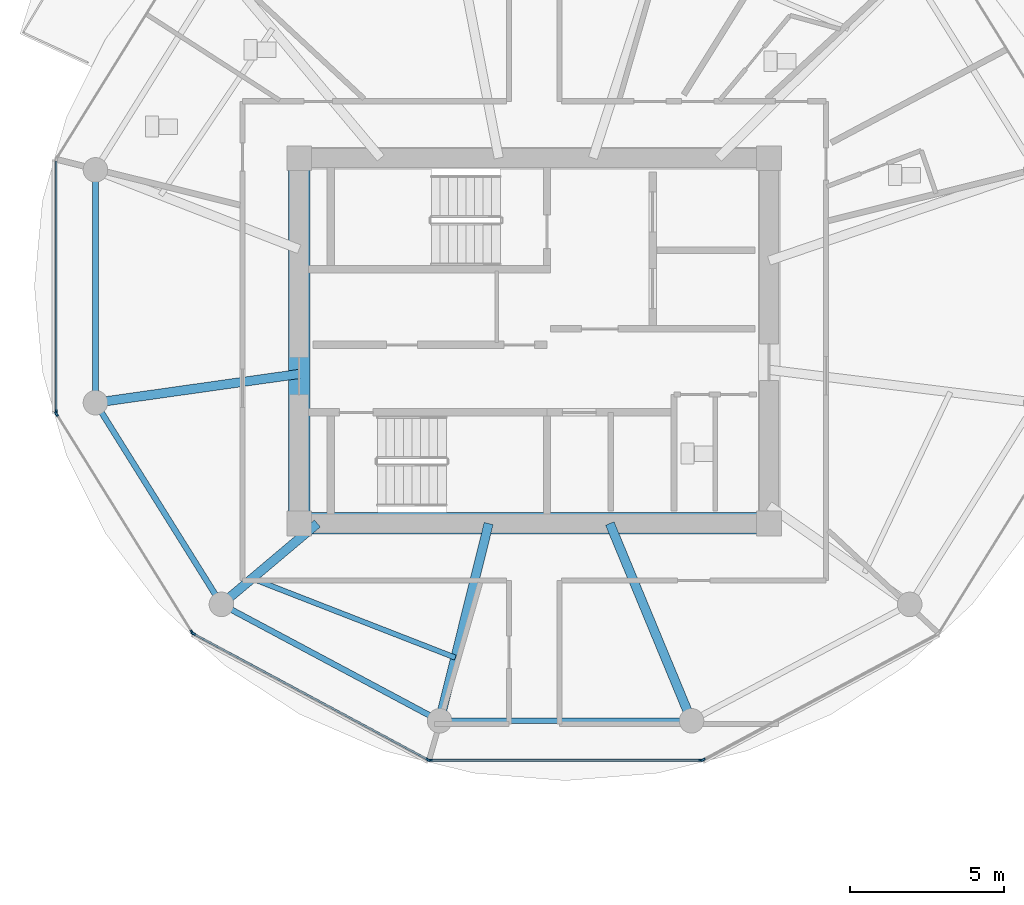
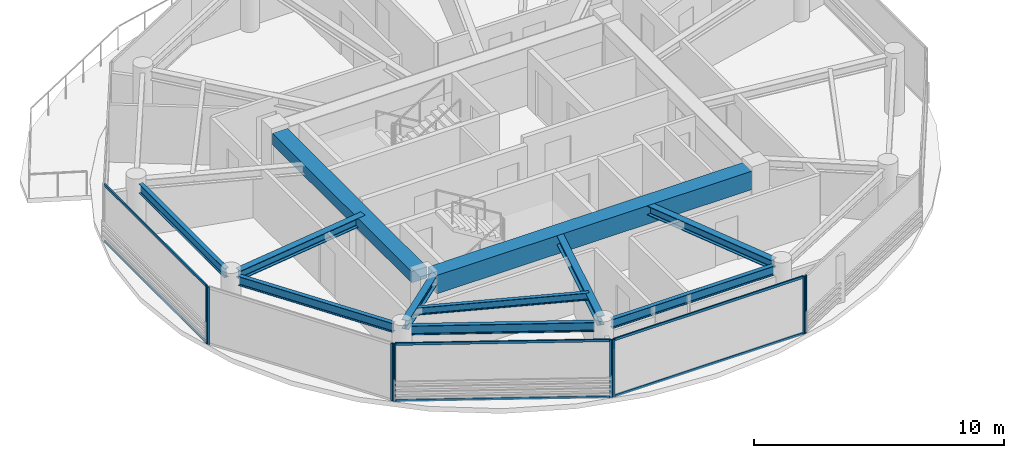
# One storey, part 2 of 21: 14 members, 11 beams, 5 elements without a shape of their own.
"""IFC4 building model written with IfcOpenShell, lengths in metres."""

from ifc_helpers import new_model, si_unit, direction, frame, origin, origin_2d, place, context, subcontext, project, spatial, rectangle, i_section, extrude, source, transform, mapped, material, layer, layer_set, material_profile, profile_set, type_object, type_shapes, element, aggregate, save


model = new_model("IFC4")

# Units and contexts
model_context = context("Model", 3, precision=1e-05, world=origin(), true_north=direction((0.0, 1.0)))
body_context = subcontext(model_context, "Body", "Model", "MODEL_VIEW")
ifc_project = project(units=[si_unit("LENGTHUNIT", "METRE"), si_unit("AREAUNIT", "SQUARE_METRE"), si_unit("VOLUMEUNIT", "CUBIC_METRE"), si_unit("PLANEANGLEUNIT", "RADIAN"), si_unit("MASSUNIT", "GRAM", prefix="KILO")], contexts=[model_context])

# Site, building, storey
site_placement = place(None, origin())
site = spatial("IfcSite", under=ifc_project, at=site_placement, CompositionType="ELEMENT")
building_placement = place(site_placement, origin())
building = spatial("IfcBuilding", under=site, at=building_placement, Name="Norrkilde Senior Care Towers", CompositionType="ELEMENT")
storey_placement = place(building_placement, frame((0.0, 0.0, 146.5)))
storey = spatial("IfcBuildingStorey", under=building, at=storey_placement, Name="L45", CompositionType="ELEMENT", Elevation=146.5)

# Beams
ifc_material_1 = material(Name="Concrete C60/75", Category="concrete")
ifc_material_profile_1 = material_profile(ifc_material_1, rectangle(XDim=0.699951171875, YDim=0.89990234375, at=origin_2d()), Name="RC BM 700x900")
ifc_profile_set_1 = profile_set([ifc_material_profile_1], Name="Concrete C60/75")
beam_type_1 = type_object("IfcBeamType", Name="Core Coupling Girder 700x900", PredefinedType="USERDEFINED", material=ifc_profile_set_1)
shared_shape_1 = source(origin(), body_context, "Body", "SweptSolid", [
    extrude(rectangle(XDim=0.699951171875, YDim=0.89990234375, at=origin_2d()), origin(), (0.0, 0.0, 1.0), 14.5400390625),
])
type_shapes(beam_type_1, [shared_shape_1])
beam_1_placement = place(storey_placement, frame((-35.27001953125, -5.949951171875, 2.360107421875), z_axis=(1.0, 0.0, 0.0), x_axis=(0.0, 1.0, 0.0)))
element("IfcBeam", 1, at=beam_1_placement, inside=storey, type_object=beam_type_1, Name="L45 Core W S Coupling Girder", ObjectType="GIRDER", PredefinedType="USERDEFINED", context=body_context, shape_type="MappedRepresentation", body=[
    mapped(shared_shape_1, transform((0.0, 0.0, 0.0), x_axis=(1.0, 0.0, 0.0), y_axis=(0.0, 1.0, 0.0), z_axis=(0.0, 0.0, 1.0), scale=1.0)),
])
ifc_material_profile_2 = material_profile(ifc_material_1, rectangle(XDim=0.699951171875, YDim=0.550048828125, at=origin_2d()), Name="RC BM 700x550")
ifc_profile_set_2 = profile_set([ifc_material_profile_2], Name="Concrete C60/75")
beam_type_2 = type_object("IfcBeamType", Name="Core Portal Coupling Beam 700x550", PredefinedType="USERDEFINED", material=ifc_profile_set_2)
shared_shape_2 = source(origin(), body_context, "Body", "SweptSolid", [
    extrude(rectangle(XDim=0.699951171875, YDim=0.550048828125, at=origin_2d()), origin(), (0.0, 0.0, 1.0), 11.14013671875),
])
type_shapes(beam_type_2, [shared_shape_2])
beam_2_placement = place(storey_placement, frame((-35.64990234375, -5.570068359375, 2.534912109375), z_axis=(0.0, 1.0, 0.0), x_axis=(-1.0, 0.0, 0.0)))
element("IfcBeam", 2, at=beam_2_placement, inside=storey, type_object=beam_type_2, Name="L45 Core W W Coupling Girder", ObjectType="GIRDER", PredefinedType="USERDEFINED", context=body_context, shape_type="MappedRepresentation", body=[
    mapped(shared_shape_2, transform((0.0, 0.0, 0.0), x_axis=(1.0, 0.0, 0.0), y_axis=(0.0, 1.0, 0.0), z_axis=(0.0, 0.0, 1.0), scale=1.0)),
])
ifc_material_2 = material(Name="Steel S355", Category="steel")
ifc_material_profile_3 = material_profile(ifc_material_2, i_section(OverallWidth=0.18994140625, OverallDepth=0.449951171875, WebThickness=0.009521484375, FlangeThickness=0.0146484375, FilletRadius=0.02099609375, at=origin_2d()), Name="IPE 450")
ifc_profile_set_3 = profile_set([ifc_material_profile_3], Name="Steel S355")
beam_type_3 = type_object("IfcBeamType", Name="Perimeter Ring Spandrel Z3 IPE450", PredefinedType="SPANDREL", material=ifc_profile_set_3)
shared_shape_3 = source(origin(), body_context, "Body", "SweptSolid", [
    extrude(i_section(OverallWidth=0.18994140625, OverallDepth=0.449951171875, WebThickness=0.009521484375, FlangeThickness=0.0146484375, FilletRadius=0.02099609375, at=origin_2d()), origin(), (0.0, 0.0, 1.0), 7.484619140625),
])
beam_3_placement = place(storey_placement, frame((-30.71728515625, -12.37548828125, 2.5849609375), z_axis=(1.0, 0.0, 0.0), x_axis=(0.0, 1.0, 0.0)))
element("IfcBeam", 3, at=beam_3_placement, inside=storey, type_object=beam_type_3, Name="L45 Drum W Perimeter Spandrel 09", PredefinedType="SPANDREL", context=body_context, shape_type="MappedRepresentation", body=[
    mapped(shared_shape_3, transform((0.0, 0.0, 0.0), x_axis=(1.0, 0.0, 0.0), y_axis=(0.0, 1.0, 0.0), z_axis=(0.0, 0.0, 1.0), scale=1.0)),
])
shared_shape_4 = source(origin(), body_context, "Body", "SweptSolid", [
    extrude(i_section(OverallWidth=0.18994140625, OverallDepth=0.449951171875, WebThickness=0.009521484375, FlangeThickness=0.0146484375, FilletRadius=0.02099609375, at=origin_2d()), origin(), (0.0, 0.0, 1.0), 6.86328125),
])
beam_4_placement = place(storey_placement, frame((-42.284912109375, 5.20703125, 2.5849609375), z_axis=(0.0, -1.0, 0.0), x_axis=(1.0, 0.0, 0.0)))
element("IfcBeam", 4, at=beam_4_placement, inside=storey, type_object=beam_type_3, Name="L45 Drum W Perimeter Spandrel 06", PredefinedType="SPANDREL", context=body_context, shape_type="MappedRepresentation", body=[
    mapped(shared_shape_4, transform((0.0, 0.0, 0.0), x_axis=(1.0, 0.0, 0.0), y_axis=(0.0, 1.0, 0.0), z_axis=(0.0, 0.0, 1.0), scale=1.0)),
])
shared_shape_5 = source(origin(), body_context, "Body", "SweptSolid", [
    extrude(i_section(OverallWidth=0.18994140625, OverallDepth=0.449951171875, WebThickness=0.009521484375, FlangeThickness=0.0146484375, FilletRadius=0.02099609375, at=origin_2d()), origin(), (0.0, 0.0, 1.0), 7.023193359375),
])
beam_5_placement = place(storey_placement, frame((-42.09423828125, -2.32177734375, 2.5849609375), z_axis=(0.529805197269, -0.848119362441, 0.0), x_axis=(0.848119362441, 0.529805197269, 0.0)))
element("IfcBeam", 5, at=beam_5_placement, inside=storey, type_object=beam_type_3, Name="L45 Drum W Perimeter Spandrel 07", PredefinedType="SPANDREL", context=body_context, shape_type="MappedRepresentation", body=[
    mapped(shared_shape_5, transform((0.0, 0.0, 0.0), x_axis=(1.0, 0.0, 0.0), y_axis=(0.0, 1.0, 0.0), z_axis=(0.0, 0.0, 1.0), scale=1.0)),
])
ifc_material_profile_4 = material_profile(ifc_material_2, i_section(OverallWidth=0.300048828125, OverallDepth=0.449951171875, WebThickness=0.013916015625, FlangeThickness=0.02587890625, FilletRadius=0.027099609375, at=origin_2d()), Name="HEB 450")
ifc_profile_set_4 = profile_set([ifc_material_profile_4], Name="Steel S355")
beam_type_4 = type_object("IfcBeamType", Name="Radial Floor Beam Z3 HEB450", PredefinedType="BEAM", material=ifc_profile_set_4)
shared_shape_6 = source(origin(), body_context, "Body", "SweptSolid", [
    extrude(i_section(OverallWidth=0.300048828125, OverallDepth=0.449951171875, WebThickness=0.013916015625, FlangeThickness=0.02587890625, FilletRadius=0.027099609375, at=origin_2d()), origin(), (0.0, 0.0, 1.0), 6.3408203125),
])
beam_6_placement = place(storey_placement, frame((-35.64990234375, -1.079833984375, 2.5849609375), z_axis=(-0.990184519576, -0.139766294905, 0.0), x_axis=(0.139766294905, -0.990184519576, 0.0)))
element("IfcBeam", 6, at=beam_6_placement, inside=storey, type_object=beam_type_4, Name="L45 Drum W Radial Floor Beam 07", PredefinedType="BEAM", context=body_context, shape_type="MappedRepresentation", body=[
    mapped(shared_shape_6, transform((0.0, 0.0, 0.0), x_axis=(1.0, 0.0, 0.0), y_axis=(0.0, 1.0, 0.0), z_axis=(0.0, 0.0, 1.0), scale=1.0)),
])
shared_shape_7 = source(origin(), body_context, "Body", "SweptSolid", [
    extrude(i_section(OverallWidth=0.18994140625, OverallDepth=0.449951171875, WebThickness=0.009521484375, FlangeThickness=0.0146484375, FilletRadius=0.02099609375, at=origin_2d()), origin(), (0.0, 0.0, 1.0), 7.333984375),
])
type_shapes(beam_type_3, [shared_shape_3, shared_shape_4, shared_shape_5, shared_shape_7])
beam_7_placement = place(storey_placement, frame((-37.864990234375, -8.753173828125, 2.5849609375), z_axis=(0.882234038987, -0.470811109101, 0.0), x_axis=(0.470811109101, 0.882234038987, 0.0)))
element("IfcBeam", 7, at=beam_7_placement, inside=storey, type_object=beam_type_3, Name="L45 Drum W Perimeter Spandrel 08", PredefinedType="SPANDREL", context=body_context, shape_type="MappedRepresentation", body=[
    mapped(shared_shape_7, transform((0.0, 0.0, 0.0), x_axis=(1.0, 0.0, 0.0), y_axis=(0.0, 1.0, 0.0), z_axis=(0.0, 0.0, 1.0), scale=1.0)),
])
shared_shape_8 = source(origin(), body_context, "Body", "SweptSolid", [
    extrude(i_section(OverallWidth=0.300048828125, OverallDepth=0.449951171875, WebThickness=0.013916015625, FlangeThickness=0.02587890625, FilletRadius=0.027099609375, at=origin_2d()), origin(), (0.0, 0.0, 1.0), 3.7265625),
])
beam_8_placement = place(storey_placement, frame((-35.058349609375, -5.949951171875, 2.5849609375), z_axis=(-0.764567902106, -0.644543189453, 0.0), x_axis=(0.644543189453, -0.764567902106, 0.0)))
element("IfcBeam", 8, at=beam_8_placement, inside=storey, type_object=beam_type_4, Name="L45 Drum W Radial Floor Beam 08", PredefinedType="BEAM", context=body_context, shape_type="MappedRepresentation", body=[
    mapped(shared_shape_8, transform((0.0, 0.0, 0.0), x_axis=(1.0, 0.0, 0.0), y_axis=(0.0, 1.0, 0.0), z_axis=(0.0, 0.0, 1.0), scale=1.0)),
])
shared_shape_9 = source(origin(), body_context, "Body", "SweptSolid", [
    extrude(i_section(OverallWidth=0.300048828125, OverallDepth=0.449951171875, WebThickness=0.013916015625, FlangeThickness=0.02587890625, FilletRadius=0.027099609375, at=origin_2d()), origin(), (0.0, 0.0, 1.0), 6.26123046875),
])
beam_9_placement = place(storey_placement, frame((-29.4794921875, -5.949951171875, 2.5849609375), z_axis=(-0.241324375921, -0.970444509277, 0.0), x_axis=(0.970444509277, -0.241324375921, 0.0)))
element("IfcBeam", 9, at=beam_9_placement, inside=storey, type_object=beam_type_4, Name="L45 Drum W Radial Floor Beam 09", PredefinedType="BEAM", context=body_context, shape_type="MappedRepresentation", body=[
    mapped(shared_shape_9, transform((0.0, 0.0, 0.0), x_axis=(1.0, 0.0, 0.0), y_axis=(0.0, 1.0, 0.0), z_axis=(0.0, 0.0, 1.0), scale=1.0)),
])
shared_shape_10 = source(origin(), body_context, "Body", "SweptSolid", [
    extrude(i_section(OverallWidth=0.300048828125, OverallDepth=0.449951171875, WebThickness=0.013916015625, FlangeThickness=0.02587890625, FilletRadius=0.027099609375, at=origin_2d()), origin(), (0.0, 0.0, 1.0), 6.59521484375),
])
type_shapes(beam_type_4, [shared_shape_6, shared_shape_8, shared_shape_9, shared_shape_10])
beam_10_placement = place(storey_placement, frame((-25.534912109375, -5.949951171875, 2.5849609375), z_axis=(0.382761541363, -0.923847174836, 0.0), x_axis=(0.923847174836, 0.382761541363, 0.0)))
element("IfcBeam", 10, at=beam_10_placement, inside=storey, type_object=beam_type_4, Name="L45 Drum W Radial Floor Beam 10", PredefinedType="BEAM", context=body_context, shape_type="MappedRepresentation", body=[
    mapped(shared_shape_10, transform((0.0, 0.0, 0.0), x_axis=(1.0, 0.0, 0.0), y_axis=(0.0, 1.0, 0.0), z_axis=(0.0, 0.0, 1.0), scale=1.0)),
])
ifc_material_profile_5 = material_profile(ifc_material_2, i_section(OverallWidth=0.169921875, OverallDepth=0.360107421875, WebThickness=0.008056640625, FlangeThickness=0.0126953125, FilletRadius=0.01806640625, at=origin_2d()), Name="IPE 360")
ifc_profile_set_5 = profile_set([ifc_material_profile_5], Name="Steel S355")
beam_type_5 = type_object("IfcBeamType", Name="Secondary Floor Joist IPE360", PredefinedType="JOIST", material=ifc_profile_set_5)
shared_shape_11 = source(origin(), body_context, "Body", "SweptSolid", [
    extrude(i_section(OverallWidth=0.169921875, OverallDepth=0.360107421875, WebThickness=0.008056640625, FlangeThickness=0.0126953125, FilletRadius=0.01806640625, at=origin_2d()), origin(), (0.0, 0.0, 1.0), 7.1015625),
])
type_shapes(beam_type_5, [shared_shape_11])
beam_11_placement = place(storey_placement, frame((-37.182861328125, -7.740966796875, 2.6298828125), z_axis=(0.931761231292, -0.363071629106, 0.0), x_axis=(0.363071629106, 0.931761231292, 0.0)))
element("IfcBeam", 11, at=beam_11_placement, inside=storey, type_object=beam_type_5, Name="L45 Drum W Secondary Floor Joist 3", PredefinedType="JOIST", context=body_context, shape_type="MappedRepresentation", body=[
    mapped(shared_shape_11, transform((0.0, 0.0, 0.0), x_axis=(1.0, 0.0, 0.0), y_axis=(0.0, 1.0, 0.0), z_axis=(0.0, 0.0, 1.0), scale=1.0)),
])

# Curtain wall, member
ifc_material_3 = material(Name="Triple Low-E Insulated Glazing", Category="glass")
ifc_layer = layer(ifc_material_3, 0.18994140625)
ifc_layer_set = layer_set([ifc_layer], Name="Triple Low-E Insulated Glazing")
curtain_wall_type = type_object("IfcCurtainWallType", Name="CW4 Zone 3 Senior Residence Curtain Wall", PredefinedType="NOTDEFINED", material=ifc_layer_set)
curtain_wall_1_placement = place(storey_placement, origin())
curtain_wall_1 = element("IfcCurtainWall", 12, at=curtain_wall_1_placement, inside=storey, type_object=curtain_wall_type, Name="L45 Drum W Curtain Wall 05", PredefinedType="NOTDEFINED")
ifc_material_4 = material(Name="Anodised Aluminium", Category="aluminium")
ifc_material_profile_6 = material_profile(ifc_material_4, rectangle(XDim=0.06494140625, YDim=0.14990234375, at=origin_2d()), Name="ALU MULL 65x150")
ifc_profile_set_6 = profile_set([ifc_material_profile_6], Name="Anodised Aluminium")
member_type_1 = type_object("IfcMemberType", Name="Curtain Wall Mullion Z3-Z4 65x150", PredefinedType="MULLION", material=ifc_profile_set_6)
shared_shape_12 = source(origin(), body_context, "Body", "SweptSolid", [
    extrude(rectangle(XDim=0.06494140625, YDim=0.14990234375, at=origin_2d()), origin(), (0.0, 0.0, 1.0), 2.81005859375),
])
type_shapes(member_type_1, [shared_shape_12])
member_1_placement = place(storey_placement, frame((-43.569580078125, -2.328125, 0.0), z_axis=(0.0, 0.0, 1.0), x_axis=(-1.0, 0.0, 0.0)))
member_1 = element("IfcMember", 13, at=member_1_placement, type_object=member_type_1, Name="CW-4 mullion 1", PredefinedType="MULLION", context=body_context, shape_type="MappedRepresentation", body=[
    mapped(shared_shape_12, transform((0.0, 0.0, 0.0), x_axis=(1.0, 0.0, 0.0), y_axis=(0.0, 1.0, 0.0), z_axis=(0.0, 0.0, 1.0), scale=1.0)),
])

# Curtain wall, members
curtain_wall_2_placement = place(storey_placement, origin())
curtain_wall_2 = element("IfcCurtainWall", 14, at=curtain_wall_2_placement, inside=storey, type_object=curtain_wall_type, Name="L45 Drum W Curtain Wall 06", PredefinedType="NOTDEFINED")
member_2_placement = place(storey_placement, frame((-39.14013671875, -9.49658203125, 0.0), z_axis=(0.0, 0.0, 1.0), x_axis=(-0.84963405474, -0.52737270789, 0.0)))
member_2 = element("IfcMember", 15, at=member_2_placement, type_object=member_type_1, Name="CW-4 mullion 1", PredefinedType="MULLION", context=body_context, shape_type="MappedRepresentation", body=[
    mapped(shared_shape_12, transform((0.0, 0.0, 0.0), x_axis=(1.0, 0.0, 0.0), y_axis=(0.0, 1.0, 0.0), z_axis=(0.0, 0.0, 1.0), scale=1.0)),
])
member_3_placement = place(storey_placement, frame((-43.552490234375, -2.38818359375, 0.0), z_axis=(0.0, 0.0, 1.0), x_axis=(-0.84963405474, -0.52737270789, 0.0)))
member_3 = element("IfcMember", 16, at=member_3_placement, type_object=member_type_1, Name="CW-4 mullion 2", PredefinedType="MULLION", context=body_context, shape_type="MappedRepresentation", body=[
    mapped(shared_shape_12, transform((0.0, 0.0, 0.0), x_axis=(1.0, 0.0, 0.0), y_axis=(0.0, 1.0, 0.0), z_axis=(0.0, 0.0, 1.0), scale=1.0)),
])
aggregate(curtain_wall_2, [member_2, member_3])

curtain_wall_3_placement = place(storey_placement, origin())
curtain_wall_3 = element("IfcCurtainWall", 17, at=curtain_wall_3_placement, inside=storey, type_object=curtain_wall_type, Name="L45 Drum W Curtain Wall 07", PredefinedType="NOTDEFINED")
member_4_placement = place(storey_placement, frame((-31.4501953125, -13.644775390625, 0.0), z_axis=(0.0, 0.0, 1.0), x_axis=(-0.47311715104, -0.880999524059, 0.0)))
member_4 = element("IfcMember", 18, at=member_4_placement, type_object=member_type_1, Name="CW-4 mullion 1", PredefinedType="MULLION", context=body_context, shape_type="MappedRepresentation", body=[
    mapped(shared_shape_12, transform((0.0, 0.0, 0.0), x_axis=(1.0, 0.0, 0.0), y_axis=(0.0, 1.0, 0.0), z_axis=(0.0, 0.0, 1.0), scale=1.0)),
])
member_5_placement = place(storey_placement, frame((-39.094482421875, -9.53955078125, 0.0), z_axis=(0.0, 0.0, 1.0), x_axis=(-0.47311715104, -0.880999524059, 0.0)))
member_5 = element("IfcMember", 19, at=member_5_placement, type_object=member_type_1, Name="CW-4 mullion 2", PredefinedType="MULLION", context=body_context, shape_type="MappedRepresentation", body=[
    mapped(shared_shape_12, transform((0.0, 0.0, 0.0), x_axis=(1.0, 0.0, 0.0), y_axis=(0.0, 1.0, 0.0), z_axis=(0.0, 0.0, 1.0), scale=1.0)),
])

curtain_wall_4_placement = place(storey_placement, origin())
curtain_wall_4 = element("IfcCurtainWall", 20, at=curtain_wall_4_placement, inside=storey, type_object=curtain_wall_type, Name="L45 Drum W Curtain Wall 08", PredefinedType="NOTDEFINED")
member_6_placement = place(storey_placement, frame((-22.56103515625, -13.66015625, 0.0), z_axis=(0.0, 0.0, 1.0), x_axis=(0.0, -1.0, 0.0)))
member_6 = element("IfcMember", 21, at=member_6_placement, type_object=member_type_1, Name="CW-4 mullion 1", PredefinedType="MULLION", context=body_context, shape_type="MappedRepresentation", body=[
    mapped(shared_shape_12, transform((0.0, 0.0, 0.0), x_axis=(1.0, 0.0, 0.0), y_axis=(0.0, 1.0, 0.0), z_axis=(0.0, 0.0, 1.0), scale=1.0)),
])
member_7_placement = place(storey_placement, frame((-31.388916015625, -13.66015625, 0.0), z_axis=(0.0, 0.0, 1.0), x_axis=(0.0, -1.0, 0.0)))
member_7 = element("IfcMember", 22, at=member_7_placement, type_object=member_type_1, Name="CW-4 mullion 2", PredefinedType="MULLION", context=body_context, shape_type="MappedRepresentation", body=[
    mapped(shared_shape_12, transform((0.0, 0.0, 0.0), x_axis=(1.0, 0.0, 0.0), y_axis=(0.0, 1.0, 0.0), z_axis=(0.0, 0.0, 1.0), scale=1.0)),
])

# Curtain wall, member
curtain_wall_5_placement = place(storey_placement, origin())
curtain_wall_5 = element("IfcCurtainWall", 23, at=curtain_wall_5_placement, inside=storey, type_object=curtain_wall_type, Name="L45 Drum W Curtain Wall 09", PredefinedType="NOTDEFINED")
member_8_placement = place(storey_placement, frame((-22.499755859375, -13.644775390625, 0.0), z_axis=(0.0, 0.0, 1.0), x_axis=(0.47311715104, -0.880999524059, 0.0)))
member_8 = element("IfcMember", 24, at=member_8_placement, type_object=member_type_1, Name="CW-4 mullion 2", PredefinedType="MULLION", context=body_context, shape_type="MappedRepresentation", body=[
    mapped(shared_shape_12, transform((0.0, 0.0, 0.0), x_axis=(1.0, 0.0, 0.0), y_axis=(0.0, 1.0, 0.0), z_axis=(0.0, 0.0, 1.0), scale=1.0)),
])
aggregate(curtain_wall_5, [member_8])

# Member
ifc_material_profile_7 = material_profile(ifc_material_4, rectangle(XDim=0.06005859375, YDim=0.1201171875, at=origin_2d()), Name="ALU TRAN 60x120")
ifc_profile_set_7 = profile_set([ifc_material_profile_7], Name="Anodised Aluminium")
member_type_2 = type_object("IfcMemberType", Name="Curtain Wall Transom Typical 60x120", PredefinedType="USERDEFINED", material=ifc_profile_set_7)
shared_shape_13 = source(origin(), body_context, "Body", "SweptSolid", [
    extrude(rectangle(XDim=0.06005859375, YDim=0.1201171875, at=origin_2d()), origin(), (0.0, 0.0, 1.0), 8.762939453125),
])
member_9_placement = place(storey_placement, frame((-22.593505859375, -13.66015625, 0.030029296875), z_axis=(-1.0, 0.0, 0.0), x_axis=(0.0, -1.0, 0.0)))
member_9 = element("IfcMember", 25, at=member_9_placement, type_object=member_type_2, Name="CW-4 transom 1.1", ObjectType="TRANSOM", PredefinedType="USERDEFINED", context=body_context, shape_type="MappedRepresentation", body=[
    mapped(shared_shape_13, transform((0.0, 0.0, 0.0), x_axis=(1.0, 0.0, 0.0), y_axis=(0.0, 1.0, 0.0), z_axis=(0.0, 0.0, 1.0), scale=1.0)),
])

member_10_placement = place(storey_placement, frame((-22.593505859375, -13.66015625, 2.780029296875), z_axis=(-1.0, 0.0, 0.0), x_axis=(0.0, -1.0, 0.0)))
member_10 = element("IfcMember", 26, at=member_10_placement, type_object=member_type_2, Name="CW-4 transom 1.2", ObjectType="TRANSOM", PredefinedType="USERDEFINED", context=body_context, shape_type="MappedRepresentation", body=[
    mapped(shared_shape_13, transform((0.0, 0.0, 0.0), x_axis=(1.0, 0.0, 0.0), y_axis=(0.0, 1.0, 0.0), z_axis=(0.0, 0.0, 1.0), scale=1.0)),
])

aggregate(curtain_wall_4, [member_6, member_7, member_9, member_10])

shared_shape_14 = source(origin(), body_context, "Body", "SweptSolid", [
    extrude(rectangle(XDim=0.06005859375, YDim=0.1201171875, at=origin_2d()), origin(), (0.0, 0.0, 1.0), 8.612060546875),
])
member_11_placement = place(storey_placement, frame((-31.478759765625, -13.62939453125, 0.030029296875), z_axis=(-0.881000337462, 0.473115636384, 0.0), x_axis=(-0.473115636384, -0.881000337462, 0.0)))
member_11 = element("IfcMember", 27, at=member_11_placement, type_object=member_type_2, Name="CW-4 transom 1.1", ObjectType="TRANSOM", PredefinedType="USERDEFINED", context=body_context, shape_type="MappedRepresentation", body=[
    mapped(shared_shape_14, transform((0.0, 0.0, 0.0), x_axis=(1.0, 0.0, 0.0), y_axis=(0.0, 1.0, 0.0), z_axis=(0.0, 0.0, 1.0), scale=1.0)),
])

member_12_placement = place(storey_placement, frame((-31.478759765625, -13.62939453125, 2.780029296875), z_axis=(-0.881000337462, 0.473115636384, 0.0), x_axis=(-0.473115636384, -0.881000337462, 0.0)))
member_12 = element("IfcMember", 28, at=member_12_placement, type_object=member_type_2, Name="CW-4 transom 1.2", ObjectType="TRANSOM", PredefinedType="USERDEFINED", context=body_context, shape_type="MappedRepresentation", body=[
    mapped(shared_shape_14, transform((0.0, 0.0, 0.0), x_axis=(1.0, 0.0, 0.0), y_axis=(0.0, 1.0, 0.0), z_axis=(0.0, 0.0, 1.0), scale=1.0)),
])

aggregate(curtain_wall_3, [member_4, member_5, member_11, member_12])

shared_shape_15 = source(origin(), body_context, "Body", "SweptSolid", [
    extrude(rectangle(XDim=0.06005859375, YDim=0.1201171875, at=origin_2d()), origin(), (0.0, 0.0, 1.0), 8.141845703125),
])
type_shapes(member_type_2, [shared_shape_13, shared_shape_14, shared_shape_15])
member_13_placement = place(storey_placement, frame((-43.569580078125, -2.295654296875, 0.030029296875), z_axis=(0.0, 1.0, 0.0), x_axis=(-1.0, 0.0, 0.0)))
member_13 = element("IfcMember", 29, at=member_13_placement, type_object=member_type_2, Name="CW-4 transom 1.1", ObjectType="TRANSOM", PredefinedType="USERDEFINED", context=body_context, shape_type="MappedRepresentation", body=[
    mapped(shared_shape_15, transform((0.0, 0.0, 0.0), x_axis=(1.0, 0.0, 0.0), y_axis=(0.0, 1.0, 0.0), z_axis=(0.0, 0.0, 1.0), scale=1.0)),
])

member_14_placement = place(storey_placement, frame((-43.569580078125, -2.295654296875, 2.780029296875), z_axis=(0.0, 1.0, 0.0), x_axis=(-1.0, 0.0, 0.0)))
member_14 = element("IfcMember", 30, at=member_14_placement, type_object=member_type_2, Name="CW-4 transom 1.2", ObjectType="TRANSOM", PredefinedType="USERDEFINED", context=body_context, shape_type="MappedRepresentation", body=[
    mapped(shared_shape_15, transform((0.0, 0.0, 0.0), x_axis=(1.0, 0.0, 0.0), y_axis=(0.0, 1.0, 0.0), z_axis=(0.0, 0.0, 1.0), scale=1.0)),
])

aggregate(curtain_wall_1, [member_1, member_13, member_14])

save(model, "model.ifc")
